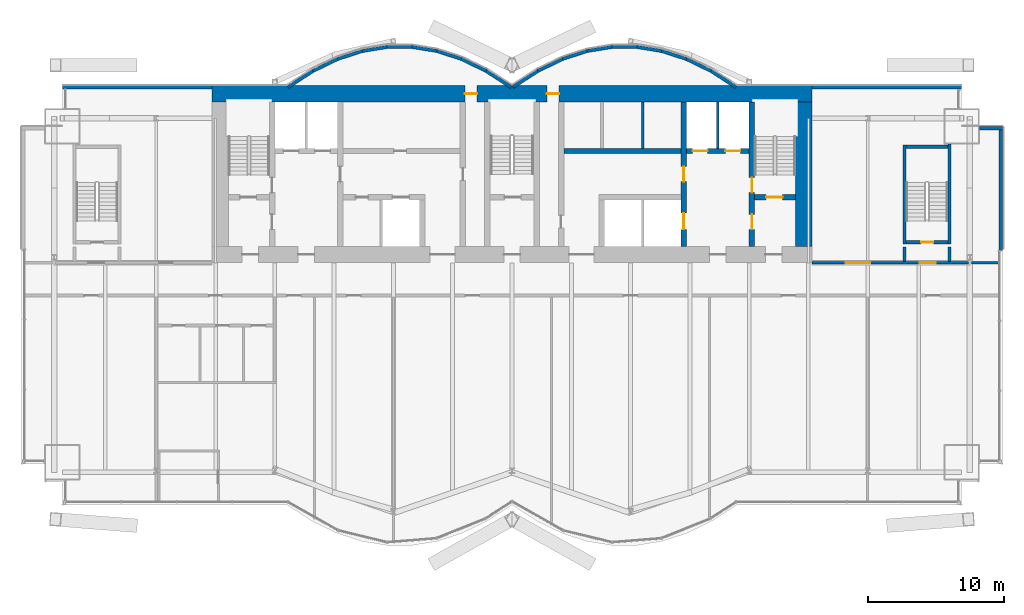
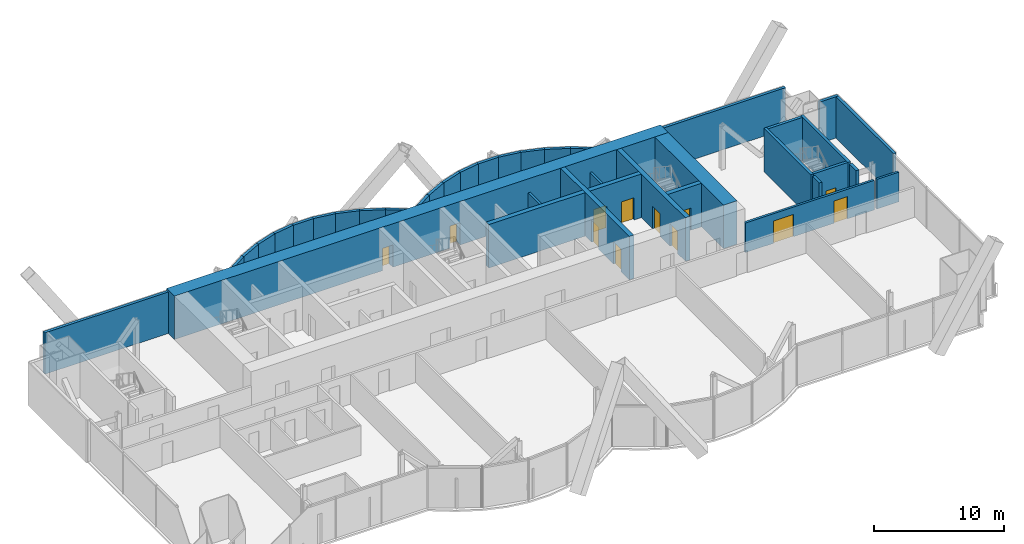
# One storey, part 16 of 20: 38 walls, 12 doors, 12 openings.
"""IFC4 building model written with IfcOpenShell, lengths in metres."""

import ifcopenshell
import ifcopenshell.guid

model = None  # the IFC model being written
_history = None  # IfcOwnerHistory: only IFC2X3 demands one
_inside = {}  # id of a spatial element -> (the spatial element, [elements in it])
_under = {}  # id of a project, library or spatial element -> (it, [spatial elements below it])
_declared = {}  # id of a project -> (the project, [libraries it declares])
_typed = {}  # id of a type object -> (the type object, [elements of that type])
_made_of = {}  # id of a material, layer set ... -> (it, [elements and type objects made of it])


def new_model(schema):
    """Start an empty IFC model of exactly this schema.

    Asked for "IFC4X3", IfcOpenShell would pick the latest addendum, in which some entities
    have other attributes; the version numbers below select the first issue.
    IFC2X3 requires an IfcOwnerHistory on every rooted entity: one is made here for all.
    """
    global model, _history
    if schema == "IFC4X3":
        model = ifcopenshell.file(schema_version=(4, 3, 0, 0))
    else:
        model = ifcopenshell.file(schema=schema)
    _inside.clear()
    _under.clear()
    _declared.clear()
    _typed.clear()
    _made_of.clear()
    _history = None
    if model.schema == "IFC2X3":
        org = make("IfcOrganization", Name="unknown")
        user = make(
            "IfcPersonAndOrganization",
            ThePerson=make("IfcPerson", FamilyName="unknown"),
            TheOrganization=org,
        )
        app = make(
            "IfcApplication",
            ApplicationDeveloper=org,
            Version="unknown",
            ApplicationFullName="unknown",
            ApplicationIdentifier="unknown",
        )
        _history = make(
            "IfcOwnerHistory",
            OwningUser=user,
            OwningApplication=app,
            ChangeAction="ADDED",
            CreationDate=0,
        )
    return model


def make(cls, **values):
    """One entity of the class cls with the attributes given. An attribute that is None is left unset."""
    return model.create_entity(
        cls, **{name: value for name, value in values.items() if value is not None}
    )


def rooted(cls, **values):
    """An entity with a GlobalId (a new one), such as an element, a storey or a relation."""
    return make(cls, GlobalId=ifcopenshell.guid.new(), OwnerHistory=_history, **values)


def si_unit(unit_type, name, prefix=None):
    """IfcSIUnit, for example si_unit("LENGTHUNIT", "METRE", prefix="MILLI")."""
    return make("IfcSIUnit", UnitType=unit_type, Prefix=prefix, Name=name)


def assignment(units):
    """IfcUnitAssignment: the units of a project."""
    return None if units is None else make("IfcUnitAssignment", Units=units)


def point(xyz):
    """IfcCartesianPoint."""
    return None if xyz is None else make("IfcCartesianPoint", Coordinates=xyz)


def direction(xyz):
    """IfcDirection."""
    return None if xyz is None else make("IfcDirection", DirectionRatios=xyz)


def frame(location, z_axis=None, x_axis=None):
    """IfcAxis2Placement3D, a coordinate frame: its origin and axes. An axis left out is left unset."""
    return make(
        "IfcAxis2Placement3D",
        Location=point(location),
        Axis=direction(z_axis),
        RefDirection=direction(x_axis),
    )


def frame_2d(location, x_axis=None):
    """IfcAxis2Placement2D, a coordinate frame in the plane: its origin and x axis."""
    return make(
        "IfcAxis2Placement2D", Location=point(location), RefDirection=direction(x_axis)
    )


def origin():
    """The frame at (0, 0, 0) with its axes left unset."""
    return frame((0.0, 0.0, 0.0))


def place(relative_to, where):
    """IfcLocalPlacement: puts the frame where relative to a parent placement (None: the world)."""
    return make(
        "IfcLocalPlacement", PlacementRelTo=relative_to, RelativePlacement=where
    )


def context(
    kind, dimensions, precision=None, world=None, true_north=None, identifier=None
):
    """IfcGeometricRepresentationContext, for example the 3D "Model" context."""
    return make(
        "IfcGeometricRepresentationContext",
        ContextIdentifier=identifier,
        ContextType=kind,
        CoordinateSpaceDimension=dimensions,
        Precision=precision,
        WorldCoordinateSystem=world,
        TrueNorth=true_north,
    )


def subcontext(parent, identifier, kind, view, scale=None):
    """IfcGeometricRepresentationSubContext, for example "Body" below "Model"."""
    return make(
        "IfcGeometricRepresentationSubContext",
        ContextIdentifier=identifier,
        ContextType=kind,
        ParentContext=parent,
        TargetScale=scale,
        TargetView=view,
    )


def project(units=None, contexts=None):
    """IfcProject with its units and contexts."""
    return rooted(
        "IfcProject",
        Name="project",
        RepresentationContexts=contexts,
        UnitsInContext=assignment(units),
    )


def spatial(cls, under=None, at=None, **own):
    """A site, building, storey or space (cls), placed at a placement, below another one or the project."""
    s = rooted(cls, ObjectPlacement=at, **own)
    if under is not None:
        _under.setdefault(under.id(), (under, []))[1].append(s)
    return s


def profile(cls, at=None, kind="AREA", **sizes):
    """A parametric profile (cls). Its sizes go by their IFC names, for example OverallWidth=200.0."""
    return make(cls, ProfileType=kind, Position=at, **sizes)


def rectangle(**sizes):
    """IfcRectangleProfileDef."""
    return profile("IfcRectangleProfileDef", **sizes)


def extrude(swept, where, along, depth):
    """IfcExtrudedAreaSolid: the profile swept, set in the frame where, extruded along a direction by depth."""
    return make(
        "IfcExtrudedAreaSolid",
        SweptArea=swept,
        Position=where,
        ExtrudedDirection=direction(along),
        Depth=depth,
    )


def shape(context_of_items, identifier, shape_type, items):
    """IfcShapeRepresentation: the items that make up one representation, for example the "Body"."""
    return make(
        "IfcShapeRepresentation",
        ContextOfItems=context_of_items,
        RepresentationIdentifier=identifier,
        RepresentationType=shape_type,
        Items=items,
    )


def material(Name=None, Category=None):
    """IfcMaterial."""
    return make("IfcMaterial", Name=Name, Category=Category)


def layer(
    of_material, thickness, ventilated=None, Name=None, Category=None, Priority=None
):
    """IfcMaterialLayer: one layer of a wall or slab, of a material (None: an air gap)."""
    return make(
        "IfcMaterialLayer",
        Material=of_material,
        LayerThickness=thickness,
        IsVentilated=ventilated,
        Name=Name,
        Category=Category,
        Priority=Priority,
    )


def layer_set(layers, Name=None):
    """IfcMaterialLayerSet."""
    return make("IfcMaterialLayerSet", MaterialLayers=layers, LayerSetName=Name)


def layer_usage(for_layer_set, set_direction, sense, offset, extent=None):
    """IfcMaterialLayerSetUsage: how a layer set lies in its element."""
    return make(
        "IfcMaterialLayerSetUsage",
        ForLayerSet=for_layer_set,
        LayerSetDirection=set_direction,
        DirectionSense=sense,
        OffsetFromReferenceLine=offset,
        ReferenceExtent=extent,
    )


def made_of(thing, what):
    """Note that an element or type object is made of a material, layer set ...; save() writes the relation."""
    if what is not None:
        _made_of.setdefault(what.id(), (what, []))[1].append(thing)
    return thing


def type_object(cls, material=None, **own):
    """A type object (cls), such as IfcWallType, which elements share."""
    return made_of(rooted(cls, **own), material)


def element(
    cls,
    number,
    at=None,
    inside=None,
    cuts=None,
    type_object=None,
    material=None,
    context=None,
    identifier="Body",
    shape_type=None,
    held_by="IfcProductDefinitionShape",
    body=None,
    shapes=None,
    **own,
):
    """One element of the class cls, such as IfcWall. Its Tag is "e" and its number.

    at: its placement. inside: the storey or other place that contains it. cuts: it is an
    opening in that element (IfcRelVoidsElement). A single representation is given by context,
    identifier, shape_type and body (its items); several are given by shapes. held_by: the class
    of the entity that holds the representations. save() writes the other relations.
    """
    e = rooted(cls, Tag="e%d" % number, ObjectPlacement=at, **own)
    if body is not None:
        shapes = [shape(context, identifier, shape_type, body)]
    if shapes is not None:
        e.Representation = make(held_by, Representations=shapes)
    if inside is not None:
        _inside.setdefault(inside.id(), (inside, []))[1].append(e)
    if cuts is not None:
        rooted(
            "IfcRelVoidsElement", RelatingBuildingElement=cuts, RelatedOpeningElement=e
        )
    if type_object is not None:
        _typed.setdefault(type_object.id(), (type_object, []))[1].append(e)
    return made_of(e, material)


def fill(opening, filler):
    """IfcRelFillsElement: the door or window that sits in an opening."""
    return rooted(
        "IfcRelFillsElement",
        RelatingOpeningElement=opening,
        RelatedBuildingElement=filler,
    )


def aggregate(whole, parts):
    """IfcRelAggregates: a whole, such as a stair, and the parts it consists of."""
    return rooted("IfcRelAggregates", RelatingObject=whole, RelatedObjects=parts)


def save(model, path):
    """Write the relations noted so far, then the file.

    IfcRelAggregates (storeys below a building ...), IfcRelContainedInSpatialStructure (elements
    in a storey), IfcRelDefinesByType, IfcRelAssociatesMaterial and IfcRelDeclares: one each for
    every whole, place, type object, material and project.
    """
    for whole, parts in _under.values():
        aggregate(whole, parts)
    for where, things in _inside.values():
        rooted(
            "IfcRelContainedInSpatialStructure",
            RelatedElements=things,
            RelatingStructure=where,
        )
    for kind, things in _typed.values():
        rooted("IfcRelDefinesByType", RelatedObjects=things, RelatingType=kind)
    for what, things in _made_of.values():
        rooted("IfcRelAssociatesMaterial", RelatedObjects=things, RelatingMaterial=what)
    for by, libraries in _declared.values():
        rooted("IfcRelDeclares", RelatingContext=by, RelatedDefinitions=libraries)
    model.write(path)


model = new_model("IFC4")

# Units and contexts
model_context = context("Model", 3, precision=1e-05, world=origin(), true_north=direction((0.0, 1.0)))
body_context = subcontext(model_context, "Body", "Model", "MODEL_VIEW")
ifc_project = project(units=[si_unit("LENGTHUNIT", "METRE"), si_unit("AREAUNIT", "SQUARE_METRE"), si_unit("VOLUMEUNIT", "CUBIC_METRE"), si_unit("PLANEANGLEUNIT", "RADIAN"), si_unit("MASSUNIT", "GRAM", prefix="KILO")], contexts=[model_context])

# Site, building, storey
site_placement = place(None, origin())
site = spatial("IfcSite", under=ifc_project, at=site_placement, CompositionType="ELEMENT")
building_placement = place(site_placement, origin())
building = spatial("IfcBuilding", under=site, at=building_placement, Name="Bicima Exchange Tower", CompositionType="ELEMENT")
storey_placement = place(building_placement, frame((0.0, 0.0, 231.89990234375)))
storey = spatial("IfcBuildingStorey", under=building, at=storey_placement, Name="L52", CompositionType="ELEMENT", Elevation=231.89990234375)

# Walls
ifc_material_1 = material(Name="Gypsum board partition")
ifc_layer_1 = layer(ifc_material_1, 0.199951171875)
ifc_layer_set_1 = layer_set([ifc_layer_1], Name="Gypsum board partition")
wall_type_1 = type_object("IfcWallType", Name="Fire-rated gypsum partition 200 EI120", PredefinedType="PARTITIONING", material=ifc_layer_set_1)
for number, where, z_axis, x_axis, name in (
    (1, (9.60009765625, -4.60009765625, 0.0), (0.0, 0.0, 1.0), (0.0, 1.0, 0.0), "partition wall 20"),
    (2, (15.10009765625, -4.60009765625, 0.0), (0.0, 0.0, 1.0), (0.0, 1.0, 0.0), "partition wall 22"),
):
    element("IfcWall", number, at=place(storey_placement, frame(where, z_axis=z_axis, x_axis=x_axis)), inside=storey, type_object=wall_type_1, Name=name, PredefinedType="PARTITIONING", context=body_context, shape_type="SweptSolid", body=[
        extrude(rectangle(XDim=3.400146484375, YDim=0.199951171875, at=frame_2d((1.7001953125, 0.0))), origin(), (0.0, 0.0, 1.0), 2.790283203125),
    ])

# Wall, openings, doors
ifc_layer_2 = layer(ifc_material_1, 0.199951171875)
ifc_layer_set_2 = layer_set([ifc_layer_2], Name="Gypsum board partition")
wall_type_2 = type_object("IfcWallType", Name="Fire-rated gypsum partition 200 EI60", PredefinedType="PARTITIONING", material=ifc_layer_set_2)
wall_1_placement = place(storey_placement, frame((22.0, -13.0, 0.0), z_axis=(0.0, 0.0, 1.0), x_axis=(1.0, 0.0, 0.0)))
wall_1 = element("IfcWall", 3, at=wall_1_placement, inside=storey, type_object=wall_type_2, Name="partition wall 7", PredefinedType="PARTITIONING", context=body_context, shape_type="SweptSolid", body=[
    extrude(rectangle(XDim=11.47998046875, YDim=0.199951171875, at=frame_2d((5.739990234375, 0.0))), origin(), (0.0, 0.0, 1.0), 2.790283203125),
])
opening_1_placement = place(wall_1_placement, frame((7.89990234375, 0.0, 0.0)))
opening_1 = element("IfcOpeningElement", 4, at=opening_1_placement, cuts=wall_1, Name="Opening L52-003", PredefinedType="OPENING", context=body_context, shape_type="SweptSolid", body=[
    extrude(rectangle(XDim=1.199951171875, YDim=2.10009765625, at=frame_2d((0.60009765625, 1.050048828125))), frame((0.0, 0.11181640625, 0.0), z_axis=(0.0, -1.0, 0.0), x_axis=(1.0, 0.0, 0.0)), (0.0, 0.0, 1.0), 0.223876953125),
])
opening_2_placement = place(wall_1_placement, frame((2.5, 0.0, 0.0)))
opening_2 = element("IfcOpeningElement", 5, at=opening_2_placement, cuts=wall_1, Name="Opening L52-006", PredefinedType="OPENING", context=body_context, shape_type="SweptSolid", body=[
    extrude(rectangle(XDim=1.800048828125, YDim=2.10009765625, at=frame_2d((0.89990234375, 1.050048828125))), frame((0.0, 0.11181640625, 0.0), z_axis=(0.0, -1.0, 0.0), x_axis=(1.0, 0.0, 0.0)), (0.0, 0.0, 1.0), 0.223876953125),
])
ifc_material_2 = material(Name="Steel fire door leaf", Category="steel")
door_type_1 = type_object("IfcDoorType", Name="Door 1200 swing FD30S", OperationType="SINGLE_SWING_LEFT", PredefinedType="DOOR", material=ifc_material_2)
door_1_placement = place(opening_1_placement, origin())
door_1 = element("IfcDoor", 6, at=door_1_placement, inside=storey, type_object=door_type_1, Name="Door", OperationType="SINGLE_SWING_RIGHT", OverallHeight=2.10009765625, OverallWidth=1.199951171875, PredefinedType="DOOR", context=body_context, shape_type="SweptSolid", body=[
    extrude(rectangle(XDim=1.199951171875, YDim=2.10009765625, at=frame_2d((0.60009765625, 1.050048828125))), frame((0.0, 0.02490234375, 0.0), z_axis=(0.0, -1.0, 0.0), x_axis=(1.0, 0.0, 0.0)), (0.0, 0.0, 1.0), 0.050048828125),
])
fill(opening_1, door_1)
door_type_2 = type_object("IfcDoorType", Name="Door 1800 double swing FD30S", OperationType="DOUBLE_DOOR_SINGLE_SWING", PredefinedType="DOOR", material=ifc_material_2)
door_2_placement = place(opening_2_placement, origin())
door_2 = element("IfcDoor", 7, at=door_2_placement, inside=storey, type_object=door_type_2, Name="Door", OperationType="SINGLE_SWING_LEFT", OverallHeight=2.10009765625, OverallWidth=1.800048828125, PredefinedType="DOOR", context=body_context, shape_type="SweptSolid", body=[
    extrude(rectangle(XDim=1.800048828125, YDim=2.10009765625, at=frame_2d((0.89990234375, 1.050048828125))), frame((0.0, 0.02490234375, 0.0), z_axis=(0.0, -1.0, 0.0), x_axis=(1.0, 0.0, 0.0)), (0.0, 0.0, 1.0), 0.050048828125),
])
fill(opening_2, door_2)

# Wall
wall_2_placement = place(storey_placement, frame((33.719970703125, -13.0, 0.0), z_axis=(0.0, 0.0, 1.0), x_axis=(1.0, 0.0, 0.0)))
element("IfcWall", 8, at=wall_2_placement, inside=storey, type_object=wall_type_2, Name="partition wall 8", PredefinedType="PARTITIONING", context=body_context, shape_type="SweptSolid", body=[
    extrude(rectangle(XDim=1.9599609375, YDim=0.199951171875, at=frame_2d((0.97998046875, 0.0))), origin(), (0.0, 0.0, 1.0), 2.790283203125),
])

# Wall, openings, doors
ifc_material_3 = material(Name="Concrete C50/60", Category="concrete")
ifc_layer_3 = layer(ifc_material_3, 1.199951171875)
ifc_layer_set_3 = layer_set([ifc_layer_3], Name="Concrete C50/60")
wall_type_3 = type_object("IfcWallType", Name="RC core wall 1200 C50/60", PredefinedType="SHEAR", material=ifc_layer_set_3)
wall_3_placement = place(storey_placement, frame((-22.0, -0.60009765625, 0.0), z_axis=(0.0, 0.0, 1.0), x_axis=(1.0, 0.0, 0.0)))
wall_3 = element("IfcWall", 9, at=wall_3_placement, inside=storey, type_object=wall_type_3, Name="Core wall north", PredefinedType="SHEAR", context=body_context, shape_type="SweptSolid", body=[
    extrude(rectangle(XDim=44.0, YDim=1.199951171875, at=frame_2d((22.0, 0.0))), origin(), (0.0, 0.0, 1.0), 4.10009765625),
])
opening_3_placement = place(wall_3_placement, frame((18.550048828125, 0.0, 0.0)))
opening_3 = element("IfcOpeningElement", 10, at=opening_3_placement, cuts=wall_3, Name="Opening L52-C14", PredefinedType="OPENING", context=body_context, shape_type="SweptSolid", body=[
    extrude(rectangle(XDim=0.89990234375, YDim=2.10009765625, at=frame_2d((0.449951171875, 1.050048828125))), frame((0.0, 0.61181640625, 0.0), z_axis=(0.0, -1.0, 0.0), x_axis=(1.0, 0.0, 0.0)), (0.0, 0.0, 1.0), 1.223876953125),
])
opening_4_placement = place(wall_3_placement, frame((24.550048828125, 0.0, 0.0)))
opening_4 = element("IfcOpeningElement", 11, at=opening_4_placement, cuts=wall_3, Name="Opening L52-C15", PredefinedType="OPENING", context=body_context, shape_type="SweptSolid", body=[
    extrude(rectangle(XDim=0.89990234375, YDim=2.10009765625, at=frame_2d((0.449951171875, 1.050048828125))), frame((0.0, 0.61181640625, 0.0), z_axis=(0.0, -1.0, 0.0), x_axis=(1.0, 0.0, 0.0)), (0.0, 0.0, 1.0), 1.223876953125),
])
door_type_3 = type_object("IfcDoorType", Name="Door 900 swing FD30S", OperationType="SINGLE_SWING_LEFT", PredefinedType="DOOR", material=ifc_material_2)
door_3_placement = place(opening_3_placement, origin())
door_3 = element("IfcDoor", 12, at=door_3_placement, inside=storey, type_object=door_type_3, Name="Core door", OperationType="SINGLE_SWING_LEFT", OverallHeight=2.10009765625, OverallWidth=0.89990234375, PredefinedType="DOOR", context=body_context, shape_type="SweptSolid", body=[
    extrude(rectangle(XDim=0.89990234375, YDim=2.10009765625, at=frame_2d((0.449951171875, 1.050048828125))), frame((0.0, 0.02490234375, 0.0), z_axis=(0.0, -1.0, 0.0), x_axis=(1.0, 0.0, 0.0)), (0.0, 0.0, 1.0), 0.050048828125),
])
fill(opening_3, door_3)
door_4_placement = place(opening_4_placement, origin())
door_4 = element("IfcDoor", 13, at=door_4_placement, inside=storey, type_object=door_type_3, Name="Core door", OperationType="SINGLE_SWING_LEFT", OverallHeight=2.10009765625, OverallWidth=0.89990234375, PredefinedType="DOOR", context=body_context, shape_type="SweptSolid", body=[
    extrude(rectangle(XDim=0.89990234375, YDim=2.10009765625, at=frame_2d((0.449951171875, 1.050048828125))), frame((0.0, 0.02490234375, 0.0), z_axis=(0.0, -1.0, 0.0), x_axis=(1.0, 0.0, 0.0)), (0.0, 0.0, 1.0), 0.050048828125),
])
fill(opening_4, door_4)

# Walls
wall_4_placement = place(storey_placement, frame((21.39990234375, -11.800048828125, 0.0), z_axis=(0.0, 0.0, 1.0), x_axis=(0.0, 1.0, 0.0)))
element("IfcWall", 14, at=wall_4_placement, inside=storey, type_object=wall_type_3, Name="Core wall east", PredefinedType="SHEAR", context=body_context, shape_type="SweptSolid", body=[
    extrude(rectangle(XDim=10.60009765625, YDim=1.199951171875, at=frame_2d((5.300048828125, 0.0))), origin(), (0.0, 0.0, 1.0), 4.10009765625),
])
ifc_layer_4 = layer(ifc_material_3, 0.25)
ifc_layer_set_4 = layer_set([ifc_layer_4], Name="Concrete C50/60")
wall_type_4 = type_object("IfcWallType", Name="RC core wall 250 C50/60", PredefinedType="SHEAR", material=ifc_layer_set_4)
for number, where, z_axis, x_axis, name in (
    (15, (28.800048828125, -12.89990234375, 0.0), (0.0, 0.0, 1.0), (0.0, 1.0, 0.0), "stair wall 29"),
    (16, (32.10009765625, -12.89990234375, 0.0), (0.0, 0.0, 1.0), (0.0, 1.0, 0.0), "stair wall 30"),
):
    element("IfcWall", number, at=place(storey_placement, frame(where, z_axis=z_axis, x_axis=x_axis)), inside=storey, type_object=wall_type_4, Name=name, PredefinedType="SHEAR", context=body_context, shape_type="SweptSolid", body=[
        extrude(rectangle(XDim=1.0498046875, YDim=0.25, at=frame_2d((0.52490234375, 0.0))), origin(), (0.0, 0.0, 1.0), 4.10009765625),
    ])

# Wall, opening, door
ifc_layer_5 = layer(ifc_material_3, 0.39990234375)
ifc_layer_set_5 = layer_set([ifc_layer_5], Name="Concrete C50/60")
wall_type_5 = type_object("IfcWallType", Name="RC core wall 400 C50/60", PredefinedType="SHEAR", material=ifc_layer_set_5)
wall_5_placement = place(storey_placement, frame((17.800048828125, -8.199951171875, 0.0), z_axis=(0.0, 0.0, 1.0), x_axis=(1.0, 0.0, 0.0)))
wall_5 = element("IfcWall", 17, at=wall_5_placement, inside=storey, type_object=wall_type_5, Name="stair wall 5", PredefinedType="SHEAR", context=body_context, shape_type="SweptSolid", body=[
    extrude(rectangle(XDim=3.0, YDim=0.39990234375, at=frame_2d((1.5, 0.0))), origin(), (0.0, 0.0, 1.0), 4.10009765625),
])
opening_5_placement = place(wall_5_placement, frame((0.85009765625, 0.0, 0.0)))
opening_5 = element("IfcOpeningElement", 18, at=opening_5_placement, cuts=wall_5, Name="Opening L52-C04", PredefinedType="OPENING", context=body_context, shape_type="SweptSolid", body=[
    extrude(rectangle(XDim=1.199951171875, YDim=2.10009765625, at=frame_2d((0.60009765625, 1.050048828125))), frame((0.0, 0.2119140625, 0.0), z_axis=(0.0, -1.0, 0.0), x_axis=(1.0, 0.0, 0.0)), (0.0, 0.0, 1.0), 0.423828125),
])
door_type_4 = type_object("IfcDoorType", Name="Door 1200 swing FD60S", OperationType="SINGLE_SWING_LEFT", PredefinedType="DOOR", material=ifc_material_2)
door_5_placement = place(opening_5_placement, origin())
door_5 = element("IfcDoor", 19, at=door_5_placement, inside=storey, type_object=door_type_4, Name="Core door", OperationType="SINGLE_SWING_RIGHT", OverallHeight=2.10009765625, OverallWidth=1.199951171875, PredefinedType="DOOR", context=body_context, shape_type="SweptSolid", body=[
    extrude(rectangle(XDim=1.199951171875, YDim=2.10009765625, at=frame_2d((0.60009765625, 1.050048828125))), frame((0.0, 0.02490234375, 0.0), z_axis=(0.0, -1.0, 0.0), x_axis=(1.0, 0.0, 0.0)), (0.0, 0.0, 1.0), 0.050048828125),
])
fill(opening_5, door_5)

# Wall, openings, doors
wall_6_placement = place(storey_placement, frame((3.800048828125, -4.800048828125, 0.0), z_axis=(0.0, 0.0, 1.0), x_axis=(1.0, 0.0, 0.0)))
wall_6 = element("IfcWall", 20, at=wall_6_placement, inside=storey, type_object=wall_type_5, Name="shear wall 7", PredefinedType="SHEAR", context=body_context, shape_type="SweptSolid", body=[
    extrude(rectangle(XDim=13.599853515625, YDim=0.39990234375, at=frame_2d((6.7998046875, 0.0))), origin(), (0.0, 0.0, 1.0), 4.10009765625),
])
opening_6_placement = place(wall_6_placement, frame((9.449951171875, 0.0, 0.0)))
opening_6 = element("IfcOpeningElement", 21, at=opening_6_placement, cuts=wall_6, Name="Opening LD-FF2-L52", PredefinedType="OPENING", context=body_context, shape_type="SweptSolid", body=[
    extrude(rectangle(XDim=1.10009765625, YDim=2.10009765625, at=frame_2d((0.550048828125, 1.050048828125))), frame((0.0, 0.2119140625, 0.0), z_axis=(0.0, -1.0, 0.0), x_axis=(1.0, 0.0, 0.0)), (0.0, 0.0, 1.0), 0.423828125),
])
opening_7_placement = place(wall_6_placement, frame((11.85009765625, 0.0, 0.0)))
opening_7 = element("IfcOpeningElement", 22, at=opening_7_placement, cuts=wall_6, Name="Opening LD-SV1-L52", PredefinedType="OPENING", context=body_context, shape_type="SweptSolid", body=[
    extrude(rectangle(XDim=1.10009765625, YDim=2.10009765625, at=frame_2d((0.550048828125, 1.050048828125))), frame((0.0, 0.2119140625, 0.0), z_axis=(0.0, -1.0, 0.0), x_axis=(1.0, 0.0, 0.0)), (0.0, 0.0, 1.0), 0.423828125),
])
ifc_material_4 = material(Name="Stainless steel", Category="steel")
door_type_5 = type_object("IfcDoorType", Name="Lift landing door 1100 sliding", OperationType="DOUBLE_DOOR_SLIDING", PredefinedType="DOOR", material=ifc_material_4)
door_6_placement = place(opening_6_placement, origin())
door_6 = element("IfcDoor", 23, at=door_6_placement, inside=storey, type_object=door_type_5, Name="Lift landing door FF2", OperationType="DOUBLE_DOOR_SLIDING", OverallHeight=2.10009765625, OverallWidth=1.10009765625, PredefinedType="DOOR", context=body_context, shape_type="SweptSolid", body=[
    extrude(rectangle(XDim=1.10009765625, YDim=2.10009765625, at=frame_2d((0.550048828125, 1.050048828125))), frame((0.0, 0.02490234375, 0.0), z_axis=(0.0, -1.0, 0.0), x_axis=(1.0, 0.0, 0.0)), (0.0, 0.0, 1.0), 0.050048828125),
])
fill(opening_6, door_6)
door_7_placement = place(opening_7_placement, origin())
door_7 = element("IfcDoor", 24, at=door_7_placement, inside=storey, type_object=door_type_5, Name="Lift landing door SV1", OperationType="DOUBLE_DOOR_SLIDING", OverallHeight=2.10009765625, OverallWidth=1.10009765625, PredefinedType="DOOR", context=body_context, shape_type="SweptSolid", body=[
    extrude(rectangle(XDim=1.10009765625, YDim=2.10009765625, at=frame_2d((0.550048828125, 1.050048828125))), frame((0.0, 0.02490234375, 0.0), z_axis=(0.0, -1.0, 0.0), x_axis=(1.0, 0.0, 0.0)), (0.0, 0.0, 1.0), 0.050048828125),
])
fill(opening_7, door_7)

wall_7_placement = place(storey_placement, frame((12.60009765625, -11.800048828125, 0.0), z_axis=(0.0, 0.0, 1.0), x_axis=(0.0, 1.0, 0.0)))
wall_7 = element("IfcWall", 25, at=wall_7_placement, inside=storey, type_object=wall_type_5, Name="shear wall 21", PredefinedType="SHEAR", context=body_context, shape_type="SweptSolid", body=[
    extrude(rectangle(XDim=10.60009765625, YDim=0.39990234375, at=frame_2d((5.300048828125, 0.0))), origin(), (0.0, 0.0, 1.0), 4.10009765625),
])
opening_8_placement = place(wall_7_placement, frame((1.25, 0.0, 0.0)))
opening_8 = element("IfcOpeningElement", 26, at=opening_8_placement, cuts=wall_7, Name="Opening LD-MB2-L52", PredefinedType="OPENING", context=body_context, shape_type="SweptSolid", body=[
    extrude(rectangle(XDim=1.199951171875, YDim=2.10009765625, at=frame_2d((0.60009765625, 1.050048828125))), frame((0.0, 0.2119140625, 0.0), z_axis=(0.0, -1.0, 0.0), x_axis=(1.0, 0.0, 0.0)), (0.0, 0.0, 1.0), 0.423828125),
])
opening_9_placement = place(wall_7_placement, frame((4.75, 0.0, 0.0)))
opening_9 = element("IfcOpeningElement", 27, at=opening_9_placement, cuts=wall_7, Name="Opening L52-C09", PredefinedType="OPENING", context=body_context, shape_type="SweptSolid", body=[
    extrude(rectangle(XDim=1.10009765625, YDim=2.10009765625, at=frame_2d((0.550048828125, 1.050048828125))), frame((0.0, 0.2119140625, 0.0), z_axis=(0.0, -1.0, 0.0), x_axis=(1.0, 0.0, 0.0)), (0.0, 0.0, 1.0), 0.423828125),
])
door_type_6 = type_object("IfcDoorType", Name="Door 1100 swing FD60S", OperationType="SINGLE_SWING_LEFT", PredefinedType="DOOR", material=ifc_material_2)
door_8_placement = place(opening_9_placement, frame((1.10009765625, 0.0, 0.0), z_axis=(0.0, 0.0, 1.0), x_axis=(-1.0, 0.0, 0.0)))
door_8 = element("IfcDoor", 28, at=door_8_placement, inside=storey, type_object=door_type_6, Name="Core door", OperationType="SINGLE_SWING_RIGHT", OverallHeight=2.10009765625, OverallWidth=1.10009765625, PredefinedType="DOOR", context=body_context, shape_type="SweptSolid", body=[
    extrude(rectangle(XDim=1.10009765625, YDim=2.10009765625, at=frame_2d((0.550048828125, 1.050048828125))), frame((0.0, 0.02490234375, 0.0), z_axis=(0.0, -1.0, 0.0), x_axis=(1.0, 0.0, 0.0)), (0.0, 0.0, 1.0), 0.050048828125),
])
fill(opening_9, door_8)
door_type_7 = type_object("IfcDoorType", Name="Lift landing door 1200 sliding", OperationType="DOUBLE_DOOR_SLIDING", PredefinedType="DOOR", material=ifc_material_4)
door_9_placement = place(opening_8_placement, origin())
door_9 = element("IfcDoor", 29, at=door_9_placement, inside=storey, type_object=door_type_7, Name="Lift landing door MB2", OperationType="DOUBLE_DOOR_SLIDING", OverallHeight=2.10009765625, OverallWidth=1.199951171875, PredefinedType="DOOR", context=body_context, shape_type="SweptSolid", body=[
    extrude(rectangle(XDim=1.199951171875, YDim=2.10009765625, at=frame_2d((0.60009765625, 1.050048828125))), frame((0.0, 0.02490234375, 0.0), z_axis=(0.0, -1.0, 0.0), x_axis=(1.0, 0.0, 0.0)), (0.0, 0.0, 1.0), 0.050048828125),
])
fill(opening_8, door_9)

wall_8_placement = place(storey_placement, frame((17.60009765625, -11.800048828125, 0.0), z_axis=(0.0, 0.0, 1.0), x_axis=(0.0, 1.0, 0.0)))
wall_8 = element("IfcWall", 30, at=wall_8_placement, inside=storey, type_object=wall_type_5, Name="stair wall 23", PredefinedType="SHEAR", context=body_context, shape_type="SweptSolid", body=[
    extrude(rectangle(XDim=10.60009765625, YDim=0.39990234375, at=frame_2d((5.300048828125, 0.0))), origin(), (0.0, 0.0, 1.0), 4.10009765625),
])
opening_10_placement = place(wall_8_placement, frame((1.25, 0.0, 0.0)))
opening_10 = element("IfcOpeningElement", 31, at=opening_10_placement, cuts=wall_8, Name="Opening L52-C05", PredefinedType="OPENING", context=body_context, shape_type="SweptSolid", body=[
    extrude(rectangle(XDim=1.10009765625, YDim=2.10009765625, at=frame_2d((0.550048828125, 1.050048828125))), frame((0.0, 0.2119140625, 0.0), z_axis=(0.0, -1.0, 0.0), x_axis=(1.0, 0.0, 0.0)), (0.0, 0.0, 1.0), 0.423828125),
])
opening_11_placement = place(wall_8_placement, frame((3.949951171875, 0.0, 0.0)))
opening_11 = element("IfcOpeningElement", 32, at=opening_11_placement, cuts=wall_8, Name="Opening L52-C08", PredefinedType="OPENING", context=body_context, shape_type="SweptSolid", body=[
    extrude(rectangle(XDim=1.10009765625, YDim=2.10009765625, at=frame_2d((0.550048828125, 1.050048828125))), frame((0.0, 0.2119140625, 0.0), z_axis=(0.0, -1.0, 0.0), x_axis=(1.0, 0.0, 0.0)), (0.0, 0.0, 1.0), 0.423828125),
])
door_10_placement = place(opening_10_placement, origin())
door_10 = element("IfcDoor", 33, at=door_10_placement, inside=storey, type_object=door_type_6, Name="Core door", OperationType="SINGLE_SWING_LEFT", OverallHeight=2.10009765625, OverallWidth=1.10009765625, PredefinedType="DOOR", context=body_context, shape_type="SweptSolid", body=[
    extrude(rectangle(XDim=1.10009765625, YDim=2.10009765625, at=frame_2d((0.550048828125, 1.050048828125))), frame((0.0, 0.02490234375, 0.0), z_axis=(0.0, -1.0, 0.0), x_axis=(1.0, 0.0, 0.0)), (0.0, 0.0, 1.0), 0.050048828125),
])
fill(opening_10, door_10)
door_11_placement = place(opening_11_placement, origin())
door_11 = element("IfcDoor", 34, at=door_11_placement, inside=storey, type_object=door_type_6, Name="Core door", OperationType="SINGLE_SWING_RIGHT", OverallHeight=2.10009765625, OverallWidth=1.10009765625, PredefinedType="DOOR", context=body_context, shape_type="SweptSolid", body=[
    extrude(rectangle(XDim=1.10009765625, YDim=2.10009765625, at=frame_2d((0.550048828125, 1.050048828125))), frame((0.0, 0.02490234375, 0.0), z_axis=(0.0, -1.0, 0.0), x_axis=(1.0, 0.0, 0.0)), (0.0, 0.0, 1.0), 0.050048828125),
])
fill(opening_11, door_11)

# Walls
ifc_layer_6 = layer(ifc_material_3, 0.25)
ifc_layer_set_6 = layer_set([ifc_layer_6], Name="Concrete C50/60")
wall_type_6 = type_object("IfcWallType", Name="RC stair enclosure wall 250 C50/60", PredefinedType="SHEAR", material=ifc_layer_set_6)
wall_9_placement = place(storey_placement, frame((28.800048828125, -11.625, 0.0), z_axis=(0.0, 0.0, 1.0), x_axis=(0.0, 1.0, 0.0)))
element("IfcWall", 35, at=wall_9_placement, inside=storey, type_object=wall_type_6, Name="East end exit stair wall W", PredefinedType="SHEAR", context=body_context, shape_type="SweptSolid", body=[
    extrude(rectangle(XDim=7.25, YDim=0.25, at=frame_2d((3.625, 0.0))), origin(), (0.0, 0.0, 1.0), 4.10009765625),
])
wall_10_placement = place(storey_placement, frame((32.10009765625, -11.625, 0.0), z_axis=(0.0, 0.0, 1.0), x_axis=(0.0, 1.0, 0.0)))
element("IfcWall", 36, at=wall_10_placement, inside=storey, type_object=wall_type_6, Name="East end exit stair wall E", PredefinedType="SHEAR", context=body_context, shape_type="SweptSolid", body=[
    extrude(rectangle(XDim=7.324951171875, YDim=0.25, at=frame_2d((3.66259765625, 0.0))), origin(), (0.0, 0.0, 1.0), 4.10009765625),
])

# Wall, opening, door
wall_11_placement = place(storey_placement, frame((28.925048828125, -11.5, 0.0), z_axis=(0.0, 0.0, 1.0), x_axis=(1.0, 0.0, 0.0)))
wall_11 = element("IfcWall", 37, at=wall_11_placement, inside=storey, type_object=wall_type_6, Name="East end exit stair wall S", PredefinedType="SHEAR", context=body_context, shape_type="SweptSolid", body=[
    extrude(rectangle(XDim=3.050048828125, YDim=0.25, at=frame_2d((1.52490234375, 0.0))), origin(), (0.0, 0.0, 1.0), 4.10009765625),
])
opening_12_placement = place(wall_11_placement, frame((1.10009765625, 0.0, 0.0)))
opening_12 = element("IfcOpeningElement", 38, at=opening_12_placement, cuts=wall_11, Name="Opening L52-004", PredefinedType="OPENING", context=body_context, shape_type="SweptSolid", body=[
    extrude(rectangle(XDim=0.89990234375, YDim=2.10009765625, at=frame_2d((0.449951171875, 1.050048828125))), frame((0.0, 0.136962890625, 0.0), z_axis=(0.0, -1.0, 0.0), x_axis=(1.0, 0.0, 0.0)), (0.0, 0.0, 1.0), 0.27392578125),
])
door_type_8 = type_object("IfcDoorType", Name="Door 900 swing FD60S", OperationType="SINGLE_SWING_LEFT", PredefinedType="DOOR", material=ifc_material_2)
door_12_placement = place(opening_12_placement, origin())
door_12 = element("IfcDoor", 39, at=door_12_placement, inside=storey, type_object=door_type_8, Name="Door", OperationType="SINGLE_SWING_LEFT", OverallHeight=2.10009765625, OverallWidth=0.89990234375, PredefinedType="DOOR", context=body_context, shape_type="SweptSolid", body=[
    extrude(rectangle(XDim=0.89990234375, YDim=2.10009765625, at=frame_2d((0.449951171875, 1.050048828125))), frame((0.0, 0.02490234375, 0.0), z_axis=(0.0, -1.0, 0.0), x_axis=(1.0, 0.0, 0.0)), (0.0, 0.0, 1.0), 0.050048828125),
])
fill(opening_12, door_12)

# Walls
wall_12_placement = place(storey_placement, frame((28.925048828125, -4.5, 0.0), z_axis=(0.0, 0.0, 1.0), x_axis=(1.0, 0.0, 0.0)))
element("IfcWall", 40, at=wall_12_placement, inside=storey, type_object=wall_type_6, Name="East end exit stair wall N", PredefinedType="SHEAR", context=body_context, shape_type="SweptSolid", body=[
    extrude(rectangle(XDim=3.050048828125, YDim=0.25, at=frame_2d((1.52490234375, 0.0))), origin(), (0.0, 0.0, 1.0), 4.10009765625),
])
ifc_material_5 = material(Name="Concrete C40/50", Category="concrete")
ifc_layer_7 = layer(ifc_material_5, 0.25)
ifc_layer_set_7 = layer_set([ifc_layer_7], Name="Concrete C40/50")
ifc_layer_usage = layer_usage(ifc_layer_set_7, "AXIS2", "POSITIVE", -0.125)
wall_type_7 = type_object("IfcWallType", Name="Rear backup wall 250", PredefinedType="STANDARD", material=ifc_layer_set_7)
wall_13_placement = place(storey_placement, frame((33.0, -0.125, 0.0), z_axis=(0.0, 0.0, 1.0), x_axis=(-1.0, 0.0, 0.0)))
element("IfcWall", 41, at=wall_13_placement, inside=storey, type_object=wall_type_7, material=ifc_layer_usage, Name="Rear backup wall L52 1", PredefinedType="STANDARD", context=body_context, shape_type="SweptSolid", body=[
    extrude(rectangle(XDim=11.0, YDim=0.25, at=frame_2d((5.5, 0.0))), origin(), (0.0, 0.0, 1.0), 3.900146484375),
])
wall_14_placement = place(storey_placement, frame((16.43212890625, -0.10498046875, 0.0), z_axis=(0.0, 0.0, 1.0), x_axis=(-0.83981312244, 0.542875602121, 0.0)))
element("IfcWall", 42, at=wall_14_placement, inside=storey, type_object=wall_type_7, material=ifc_layer_usage, Name="Rear backup wall L52 2", PredefinedType="STANDARD", context=body_context, shape_type="SweptSolid", body=[
    extrude(rectangle(XDim=2.182861328125, YDim=0.25, at=frame_2d((1.09130859375, 0.0))), origin(), (0.0, 0.0, 1.0), 3.900146484375),
])
wall_15_placement = place(storey_placement, frame((14.6123046875, 1.07275390625, 0.0), z_axis=(0.0, 0.0, 1.0), x_axis=(-0.89982408427, 0.436252928206, 0.0)))
element("IfcWall", 43, at=wall_15_placement, inside=storey, type_object=wall_type_7, material=ifc_layer_usage, Name="Rear backup wall L52 3", PredefinedType="STANDARD", context=body_context, shape_type="SweptSolid", body=[
    extrude(rectangle(XDim=2.03759765625, YDim=0.25, at=frame_2d((1.018798828125, 0.0))), origin(), (0.0, 0.0, 1.0), 3.900146484375),
])
wall_16_placement = place(storey_placement, frame((12.794921875, 1.955078125, 0.0), z_axis=(0.0, 0.0, 1.0), x_axis=(-0.951495806175, 0.307661714928, 0.0)))
element("IfcWall", 44, at=wall_16_placement, inside=storey, type_object=wall_type_7, material=ifc_layer_usage, Name="Rear backup wall L52 4", PredefinedType="STANDARD", context=body_context, shape_type="SweptSolid", body=[
    extrude(rectangle(XDim=1.9267578125, YDim=0.25, at=frame_2d((0.96337890625, 0.0))), origin(), (0.0, 0.0, 1.0), 3.900146484375),
])
wall_17_placement = place(storey_placement, frame((10.97998046875, 2.543212890625, 0.0), z_axis=(0.0, 0.0, 1.0), x_axis=(-0.987181718931, 0.159600293885, 0.0)))
element("IfcWall", 45, at=wall_17_placement, inside=storey, type_object=wall_type_7, material=ifc_layer_usage, Name="Rear backup wall L52 5", PredefinedType="STANDARD", context=body_context, shape_type="SweptSolid", body=[
    extrude(rectangle(XDim=1.857177734375, YDim=0.25, at=frame_2d((0.9287109375, 0.0))), origin(), (0.0, 0.0, 1.0), 3.900146484375),
])
wall_18_placement = place(storey_placement, frame((9.166748046875, 2.837890625, 0.0), z_axis=(0.0, 0.0, 1.0), x_axis=(-1.0, 0.0, 0.0)))
element("IfcWall", 46, at=wall_18_placement, inside=storey, type_object=wall_type_7, material=ifc_layer_usage, Name="Rear backup wall L52 6", PredefinedType="STANDARD", context=body_context, shape_type="SweptSolid", body=[
    extrude(rectangle(XDim=1.83349609375, YDim=0.25, at=frame_2d((0.916748046875, 0.0))), origin(), (0.0, 0.0, 1.0), 3.900146484375),
])
wall_19_placement = place(storey_placement, frame((7.353271484375, 2.839599609375, 0.0), z_axis=(0.0, 0.0, 1.0), x_axis=(-0.987181718931, -0.159600293885, 0.0)))
element("IfcWall", 47, at=wall_19_placement, inside=storey, type_object=wall_type_7, material=ifc_layer_usage, Name="Rear backup wall L52 7", PredefinedType="STANDARD", context=body_context, shape_type="SweptSolid", body=[
    extrude(rectangle(XDim=1.857177734375, YDim=0.25, at=frame_2d((0.9287109375, 0.0))), origin(), (0.0, 0.0, 1.0), 3.900146484375),
])
wall_20_placement = place(storey_placement, frame((5.538330078125, 2.5478515625, 0.0), z_axis=(0.0, 0.0, 1.0), x_axis=(-0.951495806175, -0.307661714928, 0.0)))
element("IfcWall", 48, at=wall_20_placement, inside=storey, type_object=wall_type_7, material=ifc_layer_usage, Name="Rear backup wall L52 8", PredefinedType="STANDARD", context=body_context, shape_type="SweptSolid", body=[
    extrude(rectangle(XDim=1.9267578125, YDim=0.25, at=frame_2d((0.96337890625, 0.0))), origin(), (0.0, 0.0, 1.0), 3.900146484375),
])
wall_21_placement = place(storey_placement, frame((3.72119140625, 1.961669921875, 0.0), z_axis=(0.0, 0.0, 1.0), x_axis=(-0.89982408427, -0.436252928206, 0.0)))
element("IfcWall", 49, at=wall_21_placement, inside=storey, type_object=wall_type_7, material=ifc_layer_usage, Name="Rear backup wall L52 9", PredefinedType="STANDARD", context=body_context, shape_type="SweptSolid", body=[
    extrude(rectangle(XDim=2.03759765625, YDim=0.25, at=frame_2d((1.018798828125, 0.0))), origin(), (0.0, 0.0, 1.0), 3.900146484375),
])
for number, where, z_axis, x_axis, name in (
    (50, (1.901123046875, 1.080078125, 0.0), (0.0, 0.0, 1.0), (-0.83981312244, -0.542875602121, 0.0), "Rear backup wall L52 10"),
    (51, (-0.06787109375, -0.10498046875, 0.0), (0.0, 0.0, 1.0), (-0.83981312244, 0.542875602121, 0.0), "Rear backup wall L52 11"),
):
    element("IfcWall", number, at=place(storey_placement, frame(where, z_axis=z_axis, x_axis=x_axis)), inside=storey, type_object=wall_type_7, material=ifc_layer_usage, Name=name, PredefinedType="STANDARD", context=body_context, shape_type="SweptSolid", body=[
        extrude(rectangle(XDim=2.182861328125, YDim=0.25, at=frame_2d((1.09130859375, 0.0))), origin(), (0.0, 0.0, 1.0), 3.900146484375),
    ])
wall_22_placement = place(storey_placement, frame((-1.8876953125, 1.07275390625, 0.0), z_axis=(0.0, 0.0, 1.0), x_axis=(-0.89982408427, 0.436252928206, 0.0)))
element("IfcWall", 52, at=wall_22_placement, inside=storey, type_object=wall_type_7, material=ifc_layer_usage, Name="Rear backup wall L52 12", PredefinedType="STANDARD", context=body_context, shape_type="SweptSolid", body=[
    extrude(rectangle(XDim=2.03759765625, YDim=0.25, at=frame_2d((1.018798828125, 0.0))), origin(), (0.0, 0.0, 1.0), 3.900146484375),
])
wall_23_placement = place(storey_placement, frame((-3.705078125, 1.955078125, 0.0), z_axis=(0.0, 0.0, 1.0), x_axis=(-0.951495806175, 0.307661714928, 0.0)))
element("IfcWall", 53, at=wall_23_placement, inside=storey, type_object=wall_type_7, material=ifc_layer_usage, Name="Rear backup wall L52 13", PredefinedType="STANDARD", context=body_context, shape_type="SweptSolid", body=[
    extrude(rectangle(XDim=1.9267578125, YDim=0.25, at=frame_2d((0.96337890625, 0.0))), origin(), (0.0, 0.0, 1.0), 3.900146484375),
])
wall_24_placement = place(storey_placement, frame((-5.52001953125, 2.543212890625, 0.0), z_axis=(0.0, 0.0, 1.0), x_axis=(-0.987181718931, 0.159600293885, 0.0)))
element("IfcWall", 54, at=wall_24_placement, inside=storey, type_object=wall_type_7, material=ifc_layer_usage, Name="Rear backup wall L52 14", PredefinedType="STANDARD", context=body_context, shape_type="SweptSolid", body=[
    extrude(rectangle(XDim=1.857177734375, YDim=0.25, at=frame_2d((0.9287109375, 0.0))), origin(), (0.0, 0.0, 1.0), 3.900146484375),
])
wall_25_placement = place(storey_placement, frame((-7.333251953125, 2.837890625, 0.0), z_axis=(0.0, 0.0, 1.0), x_axis=(-1.0, 0.0, 0.0)))
element("IfcWall", 55, at=wall_25_placement, inside=storey, type_object=wall_type_7, material=ifc_layer_usage, Name="Rear backup wall L52 15", PredefinedType="STANDARD", context=body_context, shape_type="SweptSolid", body=[
    extrude(rectangle(XDim=1.83349609375, YDim=0.25, at=frame_2d((0.916748046875, 0.0))), origin(), (0.0, 0.0, 1.0), 3.900146484375),
])
wall_26_placement = place(storey_placement, frame((-9.146728515625, 2.839599609375, 0.0), z_axis=(0.0, 0.0, 1.0), x_axis=(-0.987181718931, -0.159600293885, 0.0)))
element("IfcWall", 56, at=wall_26_placement, inside=storey, type_object=wall_type_7, material=ifc_layer_usage, Name="Rear backup wall L52 16", PredefinedType="STANDARD", context=body_context, shape_type="SweptSolid", body=[
    extrude(rectangle(XDim=1.857177734375, YDim=0.25, at=frame_2d((0.9287109375, 0.0))), origin(), (0.0, 0.0, 1.0), 3.900146484375),
])
wall_27_placement = place(storey_placement, frame((-10.961669921875, 2.5478515625, 0.0), z_axis=(0.0, 0.0, 1.0), x_axis=(-0.951495806175, -0.307661714928, 0.0)))
element("IfcWall", 57, at=wall_27_placement, inside=storey, type_object=wall_type_7, material=ifc_layer_usage, Name="Rear backup wall L52 17", PredefinedType="STANDARD", context=body_context, shape_type="SweptSolid", body=[
    extrude(rectangle(XDim=1.9267578125, YDim=0.25, at=frame_2d((0.96337890625, 0.0))), origin(), (0.0, 0.0, 1.0), 3.900146484375),
])
wall_28_placement = place(storey_placement, frame((-12.77880859375, 1.961669921875, 0.0), z_axis=(0.0, 0.0, 1.0), x_axis=(-0.89982408427, -0.436252928206, 0.0)))
element("IfcWall", 58, at=wall_28_placement, inside=storey, type_object=wall_type_7, material=ifc_layer_usage, Name="Rear backup wall L52 18", PredefinedType="STANDARD", context=body_context, shape_type="SweptSolid", body=[
    extrude(rectangle(XDim=2.03759765625, YDim=0.25, at=frame_2d((1.018798828125, 0.0))), origin(), (0.0, 0.0, 1.0), 3.900146484375),
])
wall_29_placement = place(storey_placement, frame((-14.598876953125, 1.080078125, 0.0), z_axis=(0.0, 0.0, 1.0), x_axis=(-0.83981312244, -0.542875602121, 0.0)))
element("IfcWall", 59, at=wall_29_placement, inside=storey, type_object=wall_type_7, material=ifc_layer_usage, Name="Rear backup wall L52 19", PredefinedType="STANDARD", context=body_context, shape_type="SweptSolid", body=[
    extrude(rectangle(XDim=2.182861328125, YDim=0.25, at=frame_2d((1.09130859375, 0.0))), origin(), (0.0, 0.0, 1.0), 3.900146484375),
])
wall_30_placement = place(storey_placement, frame((-22.0, -0.125, 0.0), z_axis=(0.0, 0.0, 1.0), x_axis=(-1.0, 0.0, 0.0)))
element("IfcWall", 60, at=wall_30_placement, inside=storey, type_object=wall_type_7, material=ifc_layer_usage, Name="Rear backup wall L52 20", PredefinedType="STANDARD", context=body_context, shape_type="SweptSolid", body=[
    extrude(rectangle(XDim=11.0, YDim=0.25, at=frame_2d((5.5, 0.0))), origin(), (0.0, 0.0, 1.0), 3.900146484375),
])
wall_31_placement = place(storey_placement, frame((35.875, -12.090087890625, 0.0), z_axis=(0.0, 0.0, 1.0), x_axis=(0.0, 1.0, 0.0)))
element("IfcWall", 61, at=wall_31_placement, inside=storey, type_object=wall_type_7, material=ifc_layer_usage, Name="Rear backup wall L52 50", PredefinedType="STANDARD", context=body_context, shape_type="SweptSolid", body=[
    extrude(rectangle(XDim=9.090087890625, YDim=0.25, at=frame_2d((4.544921875, 0.0))), origin(), (0.0, 0.0, 1.0), 3.900146484375),
])
wall_32_placement = place(storey_placement, frame((36.0, -3.125, 0.0), z_axis=(0.0, 0.0, 1.0), x_axis=(-1.0, 0.0, 0.0)))
element("IfcWall", 62, at=wall_32_placement, inside=storey, type_object=wall_type_7, material=ifc_layer_usage, Name="Rear backup wall L52 51", PredefinedType="STANDARD", context=body_context, shape_type="SweptSolid", body=[
    extrude(rectangle(XDim=1.699951171875, YDim=0.25, at=frame_2d((0.85009765625, 0.0))), origin(), (0.0, 0.0, 1.0), 3.900146484375),
])

save(model, "model.ifc")
